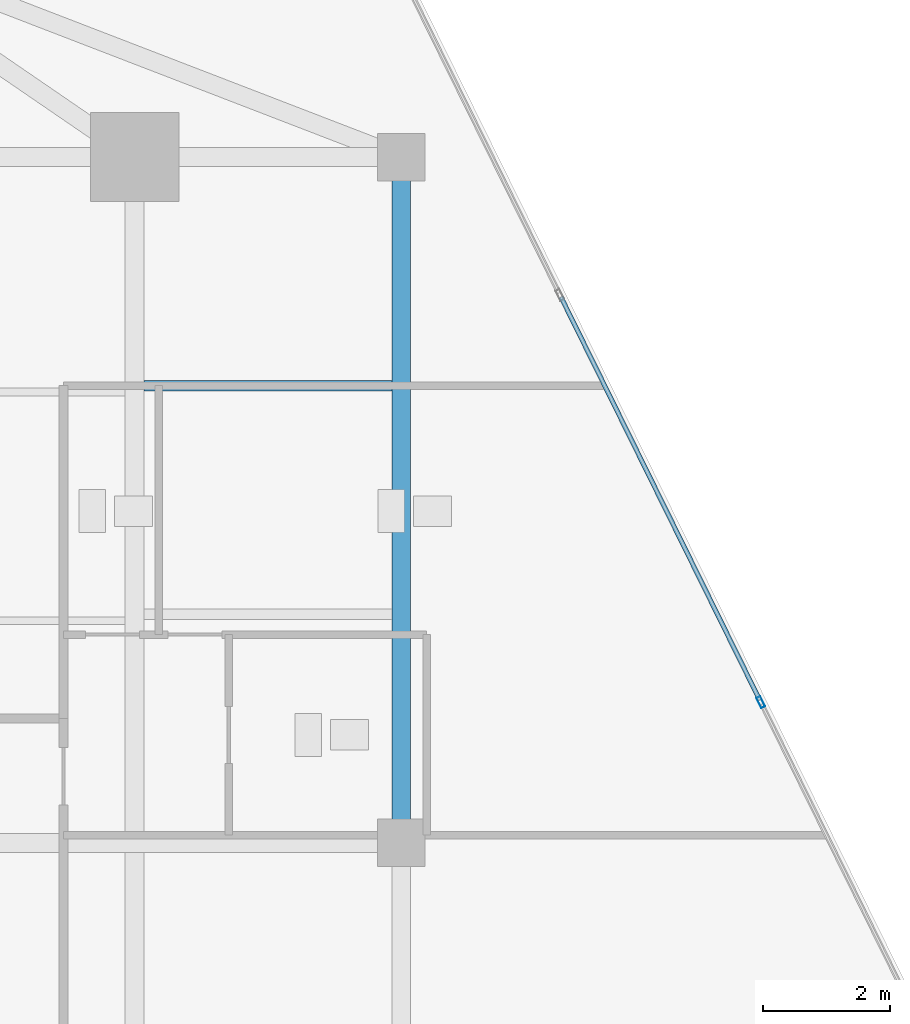
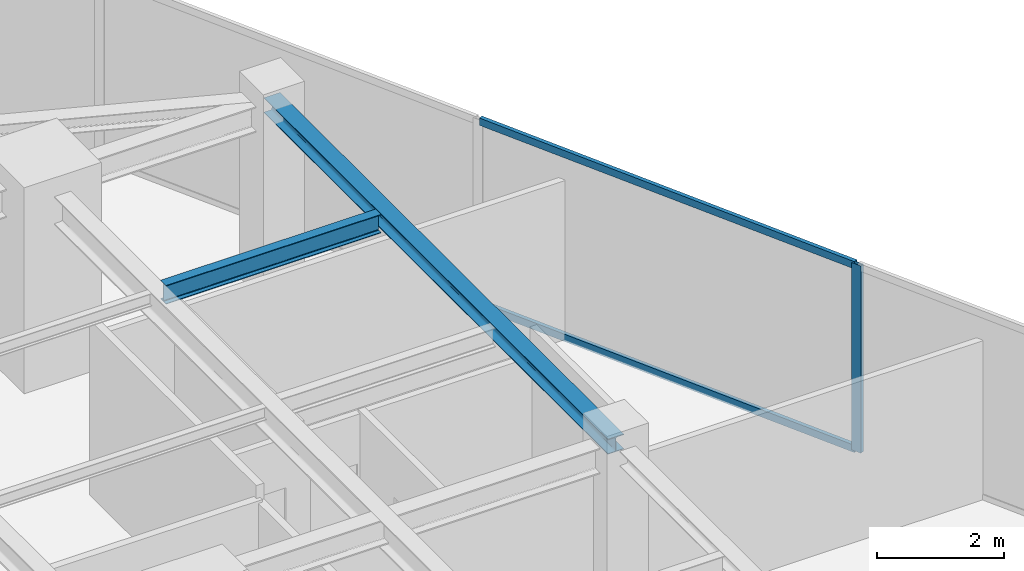
# One storey, part 11 of 22: 3 members, 2 beams, 1 element without a shape of its own.
"""IFC4 building model written with IfcOpenShell, lengths in metres."""

from ifc_helpers import new_model, si_unit, direction, frame, origin, origin_2d, place, context, subcontext, project, spatial, hollow_rectangle, i_section, extrude, source, transform, mapped, material, material_profile, profile_set, type_object, type_shapes, element, aggregate, save


model = new_model("IFC4")

# Units and contexts
model_context = context("Model", 3, precision=1e-05, world=origin(), true_north=direction((0.0, 1.0)))
body_context = subcontext(model_context, "Body", "Model", "MODEL_VIEW")
ifc_project = project(units=[si_unit("LENGTHUNIT", "METRE"), si_unit("AREAUNIT", "SQUARE_METRE"), si_unit("VOLUMEUNIT", "CUBIC_METRE"), si_unit("PLANEANGLEUNIT", "RADIAN"), si_unit("MASSUNIT", "GRAM", prefix="KILO")], contexts=[model_context])

# Site, building, storey
site_placement = place(None, origin())
site = spatial("IfcSite", under=ifc_project, at=site_placement, CompositionType="ELEMENT")
building_placement = place(site_placement, origin())
building = spatial("IfcBuilding", under=site, at=building_placement, Name="Krantzveldt Concourse Tower", CompositionType="ELEMENT")
storey_placement = place(building_placement, frame((0.0, 0.0, 314.800048828125)))
storey = spatial("IfcBuildingStorey", under=building, at=storey_placement, Name="L77", CompositionType="ELEMENT", Elevation=314.800048828125)

# Beams
ifc_material_1 = material(Name="Steel S355JR", Category="steel")
ifc_material_profile_1 = material_profile(ifc_material_1, i_section(OverallWidth=0.2900390625, OverallDepth=0.2900390625, WebThickness=0.008544921875, FlangeThickness=0.013916015625, FilletRadius=0.027099609375, at=origin_2d()), Name="Steel S355JR", Category="steel")
ifc_profile_set_1 = profile_set([ifc_material_profile_1], Name="Steel S355JR - HEA 300")
beam_type_1 = type_object("IfcBeamType", Name="BM-SP-HEA300", PredefinedType="SPANDREL", material=ifc_profile_set_1)
shared_shape_1 = source(origin(), body_context, "Body", "SweptSolid", [
    extrude(i_section(OverallWidth=0.2900390625, OverallDepth=0.2900390625, WebThickness=0.008544921875, FlangeThickness=0.013916015625, FilletRadius=0.027099609375, at=origin_2d()), origin(), (0.0, 0.0, 1.0), 10.800048828125),
])
type_shapes(beam_type_1, [shared_shape_1])
beam_1_placement = place(storey_placement, frame((51.0, 37.5, 3.445068359375), z_axis=(0.0, -1.0, 0.0), x_axis=(1.0, 0.0, 0.0)))
element("IfcBeam", 1, at=beam_1_placement, inside=storey, type_object=beam_type_1, Name="L77 Tower Girder SP-R06", PredefinedType="SPANDREL", context=body_context, shape_type="MappedRepresentation", body=[
    mapped(shared_shape_1, transform((0.0, 0.0, 0.0), x_axis=(1.0, 0.0, 0.0), y_axis=(0.0, 1.0, 0.0), z_axis=(0.0, 0.0, 1.0), scale=1.0)),
])
ifc_material_profile_2 = material_profile(ifc_material_1, i_section(OverallWidth=0.169921875, OverallDepth=0.360107421875, WebThickness=0.008056640625, FlangeThickness=0.0126953125, FilletRadius=0.01806640625, at=origin_2d()), Name="Steel S355JR", Category="steel")
ifc_profile_set_2 = profile_set([ifc_material_profile_2], Name="Steel S355JR - IPE 360")
beam_type_2 = type_object("IfcBeamType", Name="BM-J-IPE360", PredefinedType="JOIST", material=ifc_profile_set_2)
shared_shape_2 = source(origin(), body_context, "Body", "SweptSolid", [
    extrude(i_section(OverallWidth=0.169921875, OverallDepth=0.360107421875, WebThickness=0.008056640625, FlangeThickness=0.0126953125, FilletRadius=0.01806640625, at=origin_2d()), origin(), (0.0, 0.0, 1.0), 3.900146484375),
])
type_shapes(beam_type_2, [shared_shape_2])
beam_2_placement = place(storey_placement, frame((46.949951171875, 33.89990234375, 3.409912109375), z_axis=(1.0, 0.0, 0.0), x_axis=(0.0, 1.0, 0.0)))
element("IfcBeam", 2, at=beam_2_placement, inside=storey, type_object=beam_type_2, Name="L77 Secondary Floor Joist JE-4", PredefinedType="JOIST", context=body_context, shape_type="MappedRepresentation", body=[
    mapped(shared_shape_2, transform((0.0, 0.0, 0.0), x_axis=(1.0, 0.0, 0.0), y_axis=(0.0, 1.0, 0.0), z_axis=(0.0, 0.0, 1.0), scale=1.0)),
])

# Curtain wall, members
ifc_material_2 = material(Name="Anodised aluminium 6063-T6", Category="aluminium")
curtain_wall_type = type_object("IfcCurtainWallType", Name="CW4", PredefinedType="USERDEFINED", material=ifc_material_2)
curtain_wall_placement = place(storey_placement, origin())
curtain_wall = element("IfcCurtainWall", 3, at=curtain_wall_placement, inside=storey, type_object=curtain_wall_type, Name="CW-L77-F10", ObjectType="UNITISED CURTAIN WALL", PredefinedType="USERDEFINED")
ifc_material_profile_3 = material_profile(ifc_material_2, hollow_rectangle(XDim=0.070068359375, YDim=0.179931640625, WallThickness=0.0048828125, at=origin_2d()), Name="Anodised aluminium 6063-T6", Category="aluminium")
ifc_profile_set_3 = profile_set([ifc_material_profile_3], Name="Anodised aluminium 6063-T6 - ALU-MULL 180x70x5")
member_type_1 = type_object("IfcMemberType", Name="CW-MUL-180", PredefinedType="MULLION", material=ifc_profile_set_3)
shared_shape_3 = source(origin(), body_context, "Body", "SweptSolid", [
    extrude(hollow_rectangle(XDim=0.070068359375, YDim=0.179931640625, WallThickness=0.0048828125, at=origin_2d()), origin(), (0.0, 0.0, 1.0), 3.58984375),
])
type_shapes(member_type_1, [shared_shape_3])
member_1_placement = place(storey_placement, frame((56.660400390625, 28.91650390625, 0.0), z_axis=(0.0, 0.0, 1.0), x_axis=(-0.896872829457, -0.442288511927, 0.0)))
member_1 = element("IfcMember", 4, at=member_1_placement, type_object=member_type_1, Name="CW-Z56 mullion 2", PredefinedType="MULLION", context=body_context, shape_type="MappedRepresentation", body=[
    mapped(shared_shape_3, transform((0.0, 0.0, 0.0), x_axis=(1.0, 0.0, 0.0), y_axis=(0.0, 1.0, 0.0), z_axis=(0.0, 0.0, 1.0), scale=1.0)),
])
ifc_material_profile_4 = material_profile(ifc_material_2, hollow_rectangle(XDim=0.070068359375, YDim=0.139892578125, WallThickness=0.0048828125, at=origin_2d()), Name="Anodised aluminium 6063-T6", Category="aluminium")
ifc_profile_set_4 = profile_set([ifc_material_profile_4], Name="Anodised aluminium 6063-T6 - ALU-TRAN 140x70x5")
member_type_2 = type_object("IfcMemberType", Name="CW-TRN-150", PredefinedType="USERDEFINED", material=ifc_profile_set_4)
shared_shape_4 = source(origin(), body_context, "Body", "SweptSolid", [
    extrude(hollow_rectangle(XDim=0.070068359375, YDim=0.139892578125, WallThickness=0.0048828125, at=origin_2d()), origin(), (0.0, 0.0, 1.0), 7.080078125),
])
type_shapes(member_type_2, [shared_shape_4])
member_2_placement = place(storey_placement, frame((56.644775390625, 28.94775390625, 0.034912109375), z_axis=(-0.442282604958, 0.896875742426, 0.0), x_axis=(-0.896875742426, -0.442282604958, 0.0)))
member_2 = element("IfcMember", 5, at=member_2_placement, type_object=member_type_2, Name="CW-Z56 transom 2.1", ObjectType="TRANSOM", PredefinedType="USERDEFINED", context=body_context, shape_type="MappedRepresentation", body=[
    mapped(shared_shape_4, transform((0.0, 0.0, 0.0), x_axis=(1.0, 0.0, 0.0), y_axis=(0.0, 1.0, 0.0), z_axis=(0.0, 0.0, 1.0), scale=1.0)),
])
member_3_placement = place(storey_placement, frame((56.644775390625, 28.94775390625, 3.554931640625), z_axis=(-0.442282604958, 0.896875742426, 0.0), x_axis=(-0.896875742426, -0.442282604958, 0.0)))
member_3 = element("IfcMember", 6, at=member_3_placement, type_object=member_type_2, Name="CW-Z56 transom 2.2", ObjectType="TRANSOM", PredefinedType="USERDEFINED", context=body_context, shape_type="MappedRepresentation", body=[
    mapped(shared_shape_4, transform((0.0, 0.0, 0.0), x_axis=(1.0, 0.0, 0.0), y_axis=(0.0, 1.0, 0.0), z_axis=(0.0, 0.0, 1.0), scale=1.0)),
])
aggregate(curtain_wall, [member_1, member_2, member_3])

save(model, "model.ifc")
